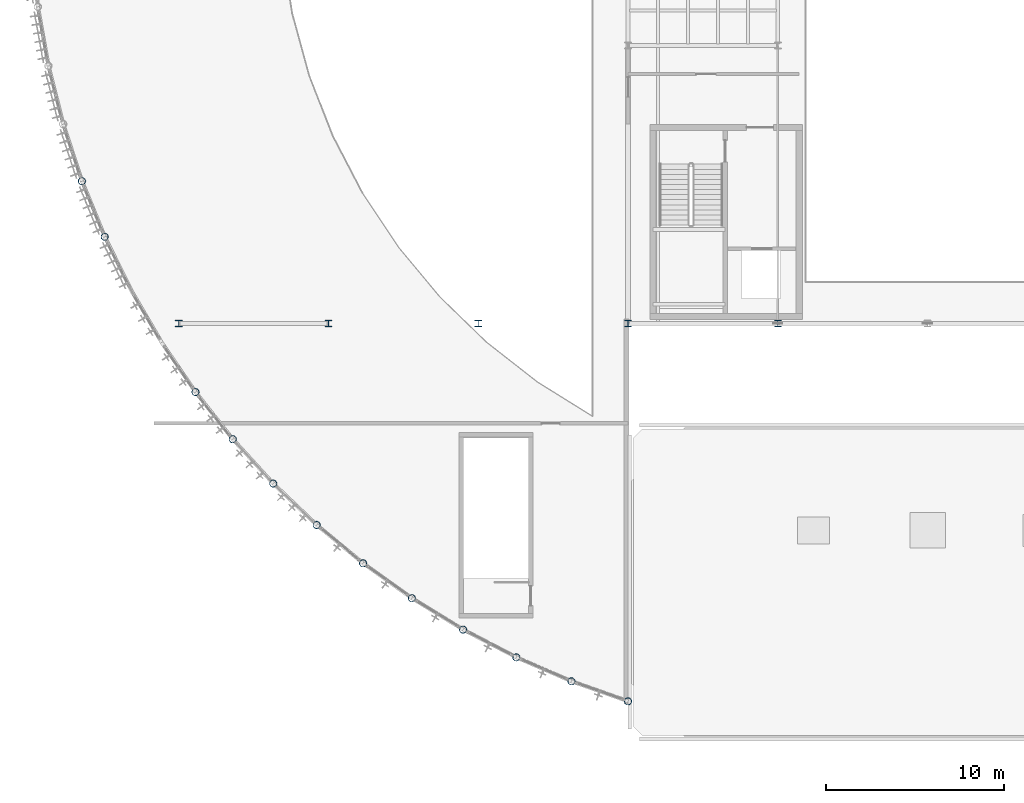
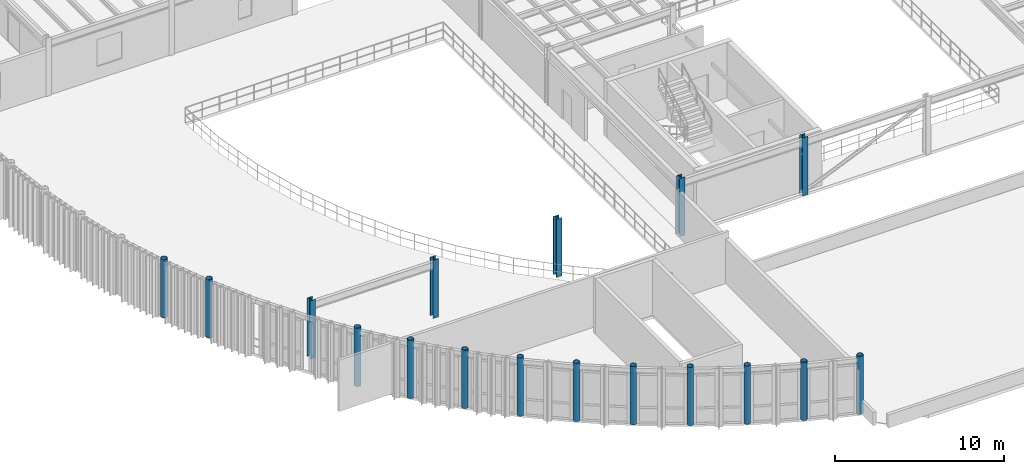
# One storey, part 1 of 54: 17 columns.
"""IFC4 building model written with IfcOpenShell, lengths in metres."""

import ifcopenshell
import ifcopenshell.guid

model = None  # the IFC model being written
_history = None  # IfcOwnerHistory: only IFC2X3 demands one
_inside = {}  # id of a spatial element -> (the spatial element, [elements in it])
_under = {}  # id of a project, library or spatial element -> (it, [spatial elements below it])
_declared = {}  # id of a project -> (the project, [libraries it declares])
_typed = {}  # id of a type object -> (the type object, [elements of that type])
_made_of = {}  # id of a material, layer set ... -> (it, [elements and type objects made of it])


def new_model(schema):
    """Start an empty IFC model of exactly this schema.

    Asked for "IFC4X3", IfcOpenShell would pick the latest addendum, in which some entities
    have other attributes; the version numbers below select the first issue.
    IFC2X3 requires an IfcOwnerHistory on every rooted entity: one is made here for all.
    """
    global model, _history
    if schema == "IFC4X3":
        model = ifcopenshell.file(schema_version=(4, 3, 0, 0))
    else:
        model = ifcopenshell.file(schema=schema)
    _inside.clear()
    _under.clear()
    _declared.clear()
    _typed.clear()
    _made_of.clear()
    _history = None
    if model.schema == "IFC2X3":
        org = make("IfcOrganization", Name="unknown")
        user = make(
            "IfcPersonAndOrganization",
            ThePerson=make("IfcPerson", FamilyName="unknown"),
            TheOrganization=org,
        )
        app = make(
            "IfcApplication",
            ApplicationDeveloper=org,
            Version="unknown",
            ApplicationFullName="unknown",
            ApplicationIdentifier="unknown",
        )
        _history = make(
            "IfcOwnerHistory",
            OwningUser=user,
            OwningApplication=app,
            ChangeAction="ADDED",
            CreationDate=0,
        )
    return model


def make(cls, **values):
    """One entity of the class cls with the attributes given. An attribute that is None is left unset."""
    return model.create_entity(
        cls, **{name: value for name, value in values.items() if value is not None}
    )


def rooted(cls, **values):
    """An entity with a GlobalId (a new one), such as an element, a storey or a relation."""
    return make(cls, GlobalId=ifcopenshell.guid.new(), OwnerHistory=_history, **values)


def si_unit(unit_type, name, prefix=None):
    """IfcSIUnit, for example si_unit("LENGTHUNIT", "METRE", prefix="MILLI")."""
    return make("IfcSIUnit", UnitType=unit_type, Prefix=prefix, Name=name)


def assignment(units):
    """IfcUnitAssignment: the units of a project."""
    return None if units is None else make("IfcUnitAssignment", Units=units)


def point(xyz):
    """IfcCartesianPoint."""
    return None if xyz is None else make("IfcCartesianPoint", Coordinates=xyz)


def direction(xyz):
    """IfcDirection."""
    return None if xyz is None else make("IfcDirection", DirectionRatios=xyz)


def frame(location, z_axis=None, x_axis=None):
    """IfcAxis2Placement3D, a coordinate frame: its origin and axes. An axis left out is left unset."""
    return make(
        "IfcAxis2Placement3D",
        Location=point(location),
        Axis=direction(z_axis),
        RefDirection=direction(x_axis),
    )


def frame_2d(location, x_axis=None):
    """IfcAxis2Placement2D, a coordinate frame in the plane: its origin and x axis."""
    return make(
        "IfcAxis2Placement2D", Location=point(location), RefDirection=direction(x_axis)
    )


def origin():
    """The frame at (0, 0, 0) with its axes left unset."""
    return frame((0.0, 0.0, 0.0))


def origin_2d():
    """The frame at (0, 0) in the plane with its x axis left unset."""
    return frame_2d((0.0, 0.0))


def place(relative_to, where):
    """IfcLocalPlacement: puts the frame where relative to a parent placement (None: the world)."""
    return make(
        "IfcLocalPlacement", PlacementRelTo=relative_to, RelativePlacement=where
    )


def context(
    kind, dimensions, precision=None, world=None, true_north=None, identifier=None
):
    """IfcGeometricRepresentationContext, for example the 3D "Model" context."""
    return make(
        "IfcGeometricRepresentationContext",
        ContextIdentifier=identifier,
        ContextType=kind,
        CoordinateSpaceDimension=dimensions,
        Precision=precision,
        WorldCoordinateSystem=world,
        TrueNorth=true_north,
    )


def subcontext(parent, identifier, kind, view, scale=None):
    """IfcGeometricRepresentationSubContext, for example "Body" below "Model"."""
    return make(
        "IfcGeometricRepresentationSubContext",
        ContextIdentifier=identifier,
        ContextType=kind,
        ParentContext=parent,
        TargetScale=scale,
        TargetView=view,
    )


def project(units=None, contexts=None):
    """IfcProject with its units and contexts."""
    return rooted(
        "IfcProject",
        Name="project",
        RepresentationContexts=contexts,
        UnitsInContext=assignment(units),
    )


def spatial(cls, under=None, at=None, **own):
    """A site, building, storey or space (cls), placed at a placement, below another one or the project."""
    s = rooted(cls, ObjectPlacement=at, **own)
    if under is not None:
        _under.setdefault(under.id(), (under, []))[1].append(s)
    return s


def profile(cls, at=None, kind="AREA", **sizes):
    """A parametric profile (cls). Its sizes go by their IFC names, for example OverallWidth=200.0."""
    return make(cls, ProfileType=kind, Position=at, **sizes)


def hollow_circle(**sizes):
    """IfcCircleHollowProfileDef."""
    return profile("IfcCircleHollowProfileDef", **sizes)


def i_section(**sizes):
    """IfcIShapeProfileDef."""
    return profile("IfcIShapeProfileDef", **sizes)


def extrude(swept, where, along, depth):
    """IfcExtrudedAreaSolid: the profile swept, set in the frame where, extruded along a direction by depth."""
    return make(
        "IfcExtrudedAreaSolid",
        SweptArea=swept,
        Position=where,
        ExtrudedDirection=direction(along),
        Depth=depth,
    )


def shape(context_of_items, identifier, shape_type, items):
    """IfcShapeRepresentation: the items that make up one representation, for example the "Body"."""
    return make(
        "IfcShapeRepresentation",
        ContextOfItems=context_of_items,
        RepresentationIdentifier=identifier,
        RepresentationType=shape_type,
        Items=items,
    )


def material(Name=None, Category=None):
    """IfcMaterial."""
    return make("IfcMaterial", Name=Name, Category=Category)


def material_profile(
    of_material, cross_section, Name=None, Category=None, Priority=None
):
    """IfcMaterialProfile: a cross section and its material."""
    return make(
        "IfcMaterialProfile",
        Name=Name,
        Material=of_material,
        Profile=cross_section,
        Priority=Priority,
        Category=Category,
    )


def profile_set(profiles, Name=None, composite=None):
    """IfcMaterialProfileSet."""
    return make(
        "IfcMaterialProfileSet",
        Name=Name,
        MaterialProfiles=profiles,
        CompositeProfile=composite,
    )


def made_of(thing, what):
    """Note that an element or type object is made of a material, layer set ...; save() writes the relation."""
    if what is not None:
        _made_of.setdefault(what.id(), (what, []))[1].append(thing)
    return thing


def type_object(cls, material=None, **own):
    """A type object (cls), such as IfcWallType, which elements share."""
    return made_of(rooted(cls, **own), material)


def element(
    cls,
    number,
    at=None,
    inside=None,
    cuts=None,
    type_object=None,
    material=None,
    context=None,
    identifier="Body",
    shape_type=None,
    held_by="IfcProductDefinitionShape",
    body=None,
    shapes=None,
    **own,
):
    """One element of the class cls, such as IfcWall. Its Tag is "e" and its number.

    at: its placement. inside: the storey or other place that contains it. cuts: it is an
    opening in that element (IfcRelVoidsElement). A single representation is given by context,
    identifier, shape_type and body (its items); several are given by shapes. held_by: the class
    of the entity that holds the representations. save() writes the other relations.
    """
    e = rooted(cls, Tag="e%d" % number, ObjectPlacement=at, **own)
    if body is not None:
        shapes = [shape(context, identifier, shape_type, body)]
    if shapes is not None:
        e.Representation = make(held_by, Representations=shapes)
    if inside is not None:
        _inside.setdefault(inside.id(), (inside, []))[1].append(e)
    if cuts is not None:
        rooted(
            "IfcRelVoidsElement", RelatingBuildingElement=cuts, RelatedOpeningElement=e
        )
    if type_object is not None:
        _typed.setdefault(type_object.id(), (type_object, []))[1].append(e)
    return made_of(e, material)


def aggregate(whole, parts):
    """IfcRelAggregates: a whole, such as a stair, and the parts it consists of."""
    return rooted("IfcRelAggregates", RelatingObject=whole, RelatedObjects=parts)


def save(model, path):
    """Write the relations noted so far, then the file.

    IfcRelAggregates (storeys below a building ...), IfcRelContainedInSpatialStructure (elements
    in a storey), IfcRelDefinesByType, IfcRelAssociatesMaterial and IfcRelDeclares: one each for
    every whole, place, type object, material and project.
    """
    for whole, parts in _under.values():
        aggregate(whole, parts)
    for where, things in _inside.values():
        rooted(
            "IfcRelContainedInSpatialStructure",
            RelatedElements=things,
            RelatingStructure=where,
        )
    for kind, things in _typed.values():
        rooted("IfcRelDefinesByType", RelatedObjects=things, RelatingType=kind)
    for what, things in _made_of.values():
        rooted("IfcRelAssociatesMaterial", RelatedObjects=things, RelatingMaterial=what)
    for by, libraries in _declared.values():
        rooted("IfcRelDeclares", RelatingContext=by, RelatedDefinitions=libraries)
    model.write(path)


model = new_model("IFC4")

# Units and contexts
model_context = context("Model", 3, precision=1e-05, world=origin(), true_north=direction((0.0, 1.0)))
body_context = subcontext(model_context, "Body", "Model", "MODEL_VIEW")
ifc_project = project(units=[si_unit("LENGTHUNIT", "METRE"), si_unit("AREAUNIT", "SQUARE_METRE"), si_unit("VOLUMEUNIT", "CUBIC_METRE"), si_unit("PLANEANGLEUNIT", "RADIAN"), si_unit("MASSUNIT", "GRAM", prefix="KILO")], contexts=[model_context])

# Site, building, storey
site_placement = place(None, origin())
site = spatial("IfcSite", under=ifc_project, at=site_placement, CompositionType="ELEMENT")
building_placement = place(site_placement, origin())
building = spatial("IfcBuilding", under=site, at=building_placement, Name="Selat Folded Stagehouse", CompositionType="ELEMENT")
storey_placement = place(building_placement, frame((0.0, 0.0, 15.0)))
storey = spatial("IfcBuildingStorey", under=building, at=storey_placement, Name="L03", CompositionType="ELEMENT", Elevation=15.0)

# Columns
ifc_material = material(Name="Steel S355", Category="steel")
ifc_material_profile_1 = material_profile(ifc_material, hollow_circle(Radius=0.203125, WallThickness=0.01611328125, at=origin_2d()), Name="CHS 406.4x16.0")
ifc_profile_set_1 = profile_set([ifc_material_profile_1], Name="Steel S355")
column_type_1 = type_object("IfcColumnType", Name="COL-CHS-406x16", PredefinedType="COLUMN", material=ifc_profile_set_1)
for number, where, z_axis, x_axis, name in (
    (1, (2.967529296875, 31.38427734375, 0.0), (0.0, 0.0, 1.0), (1.0, 0.0, 0.0), "L03 column STK-DRM-07"),
    (2, (4.243896484375, 28.266357421875, 0.0), (0.0, 0.0, 1.0), (1.0, 0.0, 0.0), "L03 column STK-DRM-08"),
    (3, (9.336181640625, 19.55517578125, 0.0), (0.0, 0.0, 1.0), (1.0, 0.0, 0.0), "L03 column STK-DRM-11"),
    (4, (11.4267578125, 16.9130859375, 0.0), (0.0, 0.0, 1.0), (1.0, 0.0, 0.0), "L03 column STK-DRM-12"),
    (5, (13.697509765625, 14.42431640625, 0.0), (0.0, 0.0, 1.0), (1.0, 0.0, 0.0), "L03 column STK-DRM-13"),
    (6, (16.136962890625, 12.100830078125, 0.0), (0.0, 0.0, 1.0), (1.0, 0.0, 0.0), "L03 column STK-DRM-14"),
    (7, (18.733642578125, 9.954345703125, 0.0), (0.0, 0.0, 1.0), (1.0, 0.0, 0.0), "L03 column STK-DRM-15"),
    (8, (21.474365234375, 7.9951171875, 0.0), (0.0, 0.0, 1.0), (1.0, 0.0, 0.0), "L03 column STK-DRM-16"),
    (9, (24.345703125, 6.23291015625, 0.0), (0.0, 0.0, 1.0), (1.0, 0.0, 0.0), "L03 column STK-DRM-17"),
    (10, (27.333740234375, 4.6767578125, 0.0), (0.0, 0.0, 1.0), (1.0, 0.0, 0.0), "L03 column STK-DRM-18"),
    (11, (30.423583984375, 3.333740234375, 0.0), (0.0, 0.0, 1.0), (1.0, 0.0, 0.0), "L03 column STK-DRM-19"),
    (12, (33.60009765625, 2.2109375, 0.0), (0.0, 0.0, 1.0), (1.0, 0.0, 0.0), "L03 column STK-DRM-20"),
):
    element("IfcColumn", number, at=place(storey_placement, frame(where, z_axis=z_axis, x_axis=x_axis)), inside=storey, type_object=column_type_1, Name=name, PredefinedType="COLUMN", context=body_context, shape_type="SweptSolid", body=[
        extrude(hollow_circle(Radius=0.203125, WallThickness=0.01611328125, at=origin_2d()), origin(), (0.0, 0.0, 1.0), 4.199951171875),
    ])
ifc_material_profile_2 = material_profile(ifc_material, i_section(OverallWidth=0.37255859375, OverallDepth=0.3681640625, WebThickness=0.014404296875, FlangeThickness=0.023681640625, FilletRadius=0.01513671875, at=origin_2d()), Name="UKC 356x368x177")
ifc_profile_set_2 = profile_set([ifc_material_profile_2], Name="Steel S355")
column_type_2 = type_object("IfcColumnType", Name="COL-UKC-356x368x177", PredefinedType="COLUMN", material=ifc_profile_set_2)
for number, where, z_axis, x_axis, name in (
    (13, (8.39990234375, 23.39990234375, 0.0), (0.0, 0.0, 1.0), (1.0, 0.0, 0.0), "L03 column STK-V2-00"),
    (14, (16.800048828125, 23.39990234375, 0.0), (0.0, 0.0, 1.0), (1.0, 0.0, 0.0), "L03 column STK-V2-01"),
    (15, (25.199951171875, 23.39990234375, 0.0), (0.0, 0.0, 1.0), (1.0, 0.0, 0.0), "L03 column STK-V2-02"),
    (16, (33.60009765625, 23.39990234375, 0.0), (0.0, 0.0, 1.0), (1.0, 0.0, 0.0), "L03 column STK-V2-07"),
    (17, (42.0, 23.39990234375, 0.0), (0.0, 0.0, 1.0), (1.0, 0.0, 0.0), "L03 column STK-V2-11"),
):
    element("IfcColumn", number, at=place(storey_placement, frame(where, z_axis=z_axis, x_axis=x_axis)), inside=storey, type_object=column_type_2, Name=name, PredefinedType="COLUMN", context=body_context, shape_type="SweptSolid", body=[
        extrude(i_section(OverallWidth=0.37255859375, OverallDepth=0.3681640625, WebThickness=0.014404296875, FlangeThickness=0.023681640625, FilletRadius=0.01513671875, at=origin_2d()), origin(), (0.0, 0.0, 1.0), 4.199951171875),
    ])

save(model, "model.ifc")
